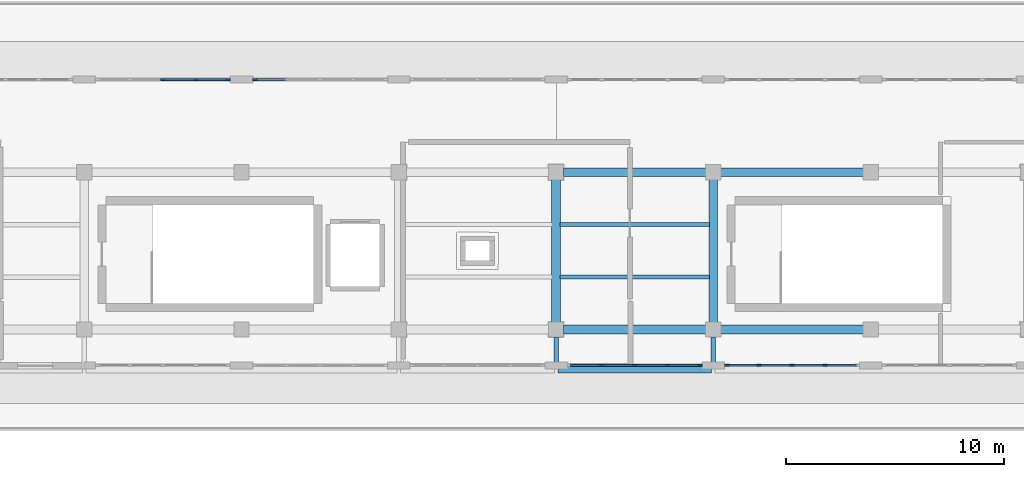
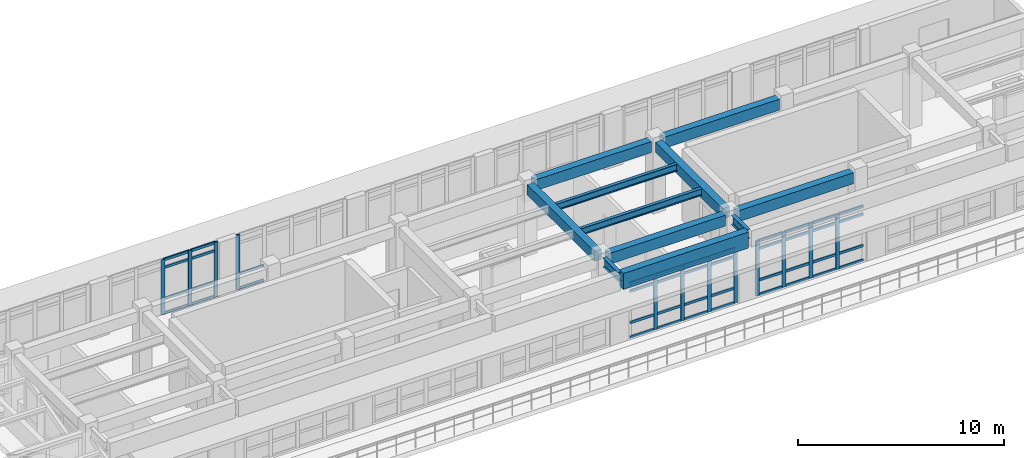
# One storey, part 12 of 55: 54 members, 11 beams, 4 elements without a shape of their own.
"""IFC4 building model written with IfcOpenShell, lengths in metres."""

from ifc_helpers import new_model, si_unit, direction, frame, origin, origin_2d, place, context, subcontext, project, spatial, rectangle, i_section, extrude, material, layer, layer_set, material_profile, profile_set, type_object, element, aggregate, save


model = new_model("IFC4")

# Units and contexts
model_context = context("Model", 3, precision=1e-05, world=origin(), true_north=direction((0.0, 1.0)))
body_context = subcontext(model_context, "Body", "Model", "MODEL_VIEW")
ifc_project = project(units=[si_unit("LENGTHUNIT", "METRE"), si_unit("AREAUNIT", "SQUARE_METRE"), si_unit("VOLUMEUNIT", "CUBIC_METRE"), si_unit("PLANEANGLEUNIT", "RADIAN"), si_unit("MASSUNIT", "GRAM", prefix="KILO")], contexts=[model_context])

# Site, building, storey
site_placement = place(None, origin())
site = spatial("IfcSite", under=ifc_project, at=site_placement, CompositionType="ELEMENT")
building_placement = place(site_placement, origin())
building = spatial("IfcBuilding", under=site, at=building_placement, Name="Solenvale Faculty of Natural Sciences", CompositionType="ELEMENT")
storey_placement = place(building_placement, frame((0.0, 0.0, 22.5)))
storey = spatial("IfcBuildingStorey", under=building, at=storey_placement, Name="L05", CompositionType="ELEMENT", Elevation=22.5)

# Beams
ifc_material_1 = material(Name="Concrete 40 MPa", Category="concrete")
ifc_material_profile_1 = material_profile(ifc_material_1, rectangle(XDim=0.39990234375, YDim=0.60009765625, at=origin_2d()), Name="RC-BM-400x600")
ifc_profile_set_1 = profile_set([ifc_material_profile_1], Name="Concrete 40 MPa")
beam_type_1 = type_object("IfcBeamType", Name="BM-RC-400x600", PredefinedType="BEAM", material=ifc_profile_set_1)
for number, where, z_axis, x_axis, name in (
    (1, (86.39990234375, 21.929931640625, 3.919921875), (0.0, 1.0, 0.0), (-1.0, 0.0, 0.0), "L05 Y-Girder X86.4 (21.6..28.8)"),
    (2, (93.60009765625, 21.929931640625, 3.919921875), (0.0, 1.0, 0.0), (-1.0, 0.0, 0.0), "L05 Y-Girder X93.6 (21.6..28.8)"),
):
    element("IfcBeam", number, at=place(storey_placement, frame(where, z_axis=z_axis, x_axis=x_axis)), inside=storey, type_object=beam_type_1, Name=name, PredefinedType="BEAM", context=body_context, shape_type="SweptSolid", body=[
        extrude(rectangle(XDim=0.39990234375, YDim=0.60009765625, at=origin_2d()), origin(), (0.0, 0.0, 1.0), 6.5400390625),
    ])
ifc_material_profile_2 = material_profile(ifc_material_1, rectangle(XDim=0.39990234375, YDim=0.64990234375, at=origin_2d()), Name="RC-BM-400x650")
ifc_profile_set_2 = profile_set([ifc_material_profile_2], Name="Concrete 40 MPa")
beam_type_2 = type_object("IfcBeamType", Name="BM-RC-400x650", PredefinedType="BEAM", material=ifc_profile_set_2)
for number, where, z_axis, x_axis, name in (
    (3, (86.72998046875, 21.60009765625, 3.89501953125), (1.0, 0.0, 0.0), (0.0, 1.0, 0.0), "L05 X-Girder Y21.6 (86.4..93.6)"),
    (4, (93.929931640625, 21.60009765625, 3.89501953125), (1.0, 0.0, 0.0), (0.0, 1.0, 0.0), "L05 X-Girder Y21.6 (93.6..100.8)"),
    (5, (86.72998046875, 28.800048828125, 3.89501953125), (1.0, 0.0, 0.0), (0.0, 1.0, 0.0), "L05 X-Girder Y28.8 (86.4..93.6)"),
    (6, (93.929931640625, 28.800048828125, 3.89501953125), (1.0, 0.0, 0.0), (0.0, 1.0, 0.0), "L05 X-Girder Y28.8 (93.6..100.8)"),
):
    element("IfcBeam", number, at=place(storey_placement, frame(where, z_axis=z_axis, x_axis=x_axis)), inside=storey, type_object=beam_type_2, Name=name, PredefinedType="BEAM", context=body_context, shape_type="SweptSolid", body=[
        extrude(rectangle(XDim=0.39990234375, YDim=0.64990234375, at=origin_2d()), origin(), (0.0, 0.0, 1.0), 6.5400390625),
    ])
ifc_material_2 = material(Name="Architectural bronze concrete 40 MPa", Category="concrete")
ifc_material_profile_3 = material_profile(ifc_material_2, rectangle(XDim=0.39990234375, YDim=0.949951171875, at=origin_2d()), Name="RC-SPN-400x950")
ifc_profile_set_3 = profile_set([ifc_material_profile_3], Name="Architectural bronze concrete 40 MPa")
beam_type_3 = type_object("IfcBeamType", Name="BM-SPN-BRZ-950", PredefinedType="SPANDREL", material=ifc_profile_set_3)
beam_placement = place(storey_placement, frame((86.47998046875, 19.800048828125, 3.7451171875), z_axis=(1.0, 0.0, 0.0), x_axis=(0.0, 1.0, 0.0)))
element("IfcBeam", 7, at=beam_placement, inside=storey, type_object=beam_type_3, Name="L06 Sliding-Tray South Bronze Fascia 4", PredefinedType="SPANDREL", context=body_context, shape_type="SweptSolid", body=[
    extrude(rectangle(XDim=0.39990234375, YDim=0.949951171875, at=origin_2d()), origin(), (0.0, 0.0, 1.0), 7.0400390625),
])
ifc_material_3 = material(Name="Steel S355", Category="steel")
ifc_material_profile_4 = material_profile(ifc_material_3, i_section(OverallWidth=0.178955078125, OverallDepth=0.409912109375, WebThickness=0.0087890625, FlangeThickness=0.014404296875, FilletRadius=0.01611328125, at=origin_2d()), Name="W410x67")
ifc_profile_set_4 = profile_set([ifc_material_profile_4], Name="Steel S355")
beam_type_4 = type_object("IfcBeamType", Name="BM-STL-W410x67", PredefinedType="JOIST", material=ifc_profile_set_4)
for number, where, z_axis, x_axis, name in (
    (8, (86.580078125, 24.0, 4.014892578125), (1.0, 0.0, 0.0), (0.0, 1.0, 0.0), "L05 Composite Floor Joist (13,4).1"),
    (9, (86.580078125, 26.39990234375, 4.014892578125), (1.0, 0.0, 0.0), (0.0, 1.0, 0.0), "L05 Composite Floor Joist (13,4).2"),
):
    element("IfcBeam", number, at=place(storey_placement, frame(where, z_axis=z_axis, x_axis=x_axis)), inside=storey, type_object=beam_type_4, Name=name, PredefinedType="JOIST", context=body_context, shape_type="SweptSolid", body=[
        extrude(i_section(OverallWidth=0.178955078125, OverallDepth=0.409912109375, WebThickness=0.0087890625, FlangeThickness=0.014404296875, FilletRadius=0.01611328125, at=origin_2d()), origin(), (0.0, 0.0, 1.0), 6.83984375),
    ])
ifc_material_profile_5 = material_profile(ifc_material_3, i_section(OverallWidth=0.2119140625, OverallDepth=0.5439453125, WebThickness=0.01318359375, FlangeThickness=0.021240234375, FilletRadius=0.01904296875, at=origin_2d()), Name="W530x123")
ifc_profile_set_5 = profile_set([ifc_material_profile_5], Name="Steel S355")
beam_type_5 = type_object("IfcBeamType", Name="BM-STL-W530x123", PredefinedType="BEAM", material=ifc_profile_set_5)
for number, where, z_axis, x_axis, name in (
    (10, (86.39990234375, 21.27001953125, 3.947998046875), (0.0, -1.0, 0.0), (1.0, 0.0, 0.0), "L05 V4 Cantilever Tray Girder X86.4"),
    (11, (93.60009765625, 21.27001953125, 3.947998046875), (0.0, -1.0, 0.0), (1.0, 0.0, 0.0), "L05 V4 Cantilever Tray Girder X93.6"),
):
    element("IfcBeam", number, at=place(storey_placement, frame(where, z_axis=z_axis, x_axis=x_axis)), inside=storey, type_object=beam_type_5, Name=name, PredefinedType="BEAM", context=body_context, shape_type="SweptSolid", body=[
        extrude(i_section(OverallWidth=0.2119140625, OverallDepth=0.5439453125, WebThickness=0.01318359375, FlangeThickness=0.021240234375, FilletRadius=0.01904296875, at=origin_2d()), origin(), (0.0, 0.0, 1.0), 1.469970703125),
    ])

# Curtain wall, member
ifc_material_4 = material(Name="Anodised bronze aluminium", Category="aluminium")
ifc_layer = layer(ifc_material_4, 0.18994140625)
ifc_layer_set = layer_set([ifc_layer], Name="Anodised bronze aluminium")
curtain_wall_type = type_object("IfcCurtainWallType", Name="CW-TRAY-REC", PredefinedType="USERDEFINED", material=ifc_layer_set)
curtain_wall_1_placement = place(storey_placement, origin())
curtain_wall_1 = element("IfcCurtainWall", 12, at=curtain_wall_1_placement, inside=storey, type_object=curtain_wall_type, Name="L05 Curtain Wall CW-L05-P1-E2-B6", ObjectType="UNITISED CURTAIN WALL", PredefinedType="USERDEFINED")
ifc_material_profile_6 = material_profile(ifc_material_4, rectangle(XDim=0.074951171875, YDim=0.2099609375, at=origin_2d()), Name="ALU-MUL-75x210")
ifc_profile_set_6 = profile_set([ifc_material_profile_6], Name="Anodised bronze aluminium")
member_type_1 = type_object("IfcMemberType", Name="CWM-ALU-75x210", PredefinedType="MULLION", material=ifc_profile_set_6)
member_1_placement = place(storey_placement, frame((72.617431640625, 33.03759765625, 0.0), z_axis=(0.0, 0.0, 1.0), x_axis=(0.0, -1.0, 0.0)))
member_1 = element("IfcMember", 13, at=member_1_placement, type_object=member_type_1, Name="CW-02 mullion 5", PredefinedType="MULLION", context=body_context, shape_type="SweptSolid", body=[
    extrude(rectangle(XDim=0.074951171875, YDim=0.2099609375, at=origin_2d()), origin(), (0.0, 0.0, 1.0), 3.260009765625),
])

# Curtain wall, members
curtain_wall_2_placement = place(storey_placement, origin())
curtain_wall_2 = element("IfcCurtainWall", 14, at=curtain_wall_2_placement, inside=storey, type_object=curtain_wall_type, Name="L05 Curtain Wall CW-L05-P1-E2-B7", ObjectType="UNITISED CURTAIN WALL", PredefinedType="USERDEFINED")
member_2_placement = place(storey_placement, frame((71.382568359375, 33.03759765625, 0.0), z_axis=(0.0, 0.0, 1.0), x_axis=(0.0, -1.0, 0.0)))
member_2 = element("IfcMember", 15, at=member_2_placement, type_object=member_type_1, Name="CW-02 mullion 1", PredefinedType="MULLION", context=body_context, shape_type="SweptSolid", body=[
    extrude(rectangle(XDim=0.074951171875, YDim=0.2099609375, at=origin_2d()), origin(), (0.0, 0.0, 1.0), 3.260009765625),
])
member_3_placement = place(storey_placement, frame((69.909912109375, 33.03759765625, 0.0), z_axis=(0.0, 0.0, 1.0), x_axis=(0.0, -1.0, 0.0)))
member_3 = element("IfcMember", 16, at=member_3_placement, type_object=member_type_1, Name="CW-02 mullion 2", PredefinedType="MULLION", context=body_context, shape_type="SweptSolid", body=[
    extrude(rectangle(XDim=0.074951171875, YDim=0.2099609375, at=origin_2d()), origin(), (0.0, 0.0, 1.0), 3.260009765625),
])
member_4_placement = place(storey_placement, frame((68.39990234375, 33.03759765625, 0.0), z_axis=(0.0, 0.0, 1.0), x_axis=(0.0, -1.0, 0.0)))
member_4 = element("IfcMember", 17, at=member_4_placement, type_object=member_type_1, Name="CW-02 mullion 3", PredefinedType="MULLION", context=body_context, shape_type="SweptSolid", body=[
    extrude(rectangle(XDim=0.074951171875, YDim=0.2099609375, at=origin_2d()), origin(), (0.0, 0.0, 1.0), 3.260009765625),
])

curtain_wall_3_placement = place(storey_placement, origin())
curtain_wall_3 = element("IfcCurtainWall", 18, at=curtain_wall_3_placement, inside=storey, type_object=curtain_wall_type, Name="L05 Curtain Wall CW-L05-P1-E4-B5", ObjectType="UNITISED CURTAIN WALL", PredefinedType="USERDEFINED")
member_5_placement = place(storey_placement, frame((88.489990234375, 19.96240234375, 0.0), z_axis=(0.0, 0.0, 1.0), x_axis=(0.0, 1.0, 0.0)))
member_5 = element("IfcMember", 19, at=member_5_placement, type_object=member_type_1, Name="CW-02 mullion 2", PredefinedType="MULLION", context=body_context, shape_type="SweptSolid", body=[
    extrude(rectangle(XDim=0.074951171875, YDim=0.2099609375, at=origin_2d()), origin(), (0.0, 0.0, 1.0), 3.260009765625),
])
member_6_placement = place(storey_placement, frame((90.0, 19.96240234375, 0.0), z_axis=(0.0, 0.0, 1.0), x_axis=(0.0, 1.0, 0.0)))
member_6 = element("IfcMember", 20, at=member_6_placement, type_object=member_type_1, Name="CW-02 mullion 3", PredefinedType="MULLION", context=body_context, shape_type="SweptSolid", body=[
    extrude(rectangle(XDim=0.074951171875, YDim=0.2099609375, at=origin_2d()), origin(), (0.0, 0.0, 1.0), 3.260009765625),
])
member_7_placement = place(storey_placement, frame((91.510009765625, 19.96240234375, 0.0), z_axis=(0.0, 0.0, 1.0), x_axis=(0.0, 1.0, 0.0)))
member_7 = element("IfcMember", 21, at=member_7_placement, type_object=member_type_1, Name="CW-02 mullion 4", PredefinedType="MULLION", context=body_context, shape_type="SweptSolid", body=[
    extrude(rectangle(XDim=0.074951171875, YDim=0.2099609375, at=origin_2d()), origin(), (0.0, 0.0, 1.0), 3.260009765625),
])
member_8_placement = place(storey_placement, frame((92.982421875, 19.96240234375, 0.0), z_axis=(0.0, 0.0, 1.0), x_axis=(0.0, 1.0, 0.0)))
member_8 = element("IfcMember", 22, at=member_8_placement, type_object=member_type_1, Name="CW-02 mullion 5", PredefinedType="MULLION", context=body_context, shape_type="SweptSolid", body=[
    extrude(rectangle(XDim=0.074951171875, YDim=0.2099609375, at=origin_2d()), origin(), (0.0, 0.0, 1.0), 3.260009765625),
])

curtain_wall_4_placement = place(storey_placement, origin())
curtain_wall_4 = element("IfcCurtainWall", 23, at=curtain_wall_4_placement, inside=storey, type_object=curtain_wall_type, Name="L05 Curtain Wall CW-L05-P1-E4-B6", ObjectType="UNITISED CURTAIN WALL", PredefinedType="USERDEFINED")
member_9_placement = place(storey_placement, frame((94.217529296875, 19.96240234375, 0.0), z_axis=(0.0, 0.0, 1.0), x_axis=(0.0, 1.0, 0.0)))
member_9 = element("IfcMember", 24, at=member_9_placement, type_object=member_type_1, Name="CW-02 mullion 1", PredefinedType="MULLION", context=body_context, shape_type="SweptSolid", body=[
    extrude(rectangle(XDim=0.074951171875, YDim=0.2099609375, at=origin_2d()), origin(), (0.0, 0.0, 1.0), 3.260009765625),
])
member_10_placement = place(storey_placement, frame((95.68994140625, 19.96240234375, 0.0), z_axis=(0.0, 0.0, 1.0), x_axis=(0.0, 1.0, 0.0)))
member_10 = element("IfcMember", 25, at=member_10_placement, type_object=member_type_1, Name="CW-02 mullion 2", PredefinedType="MULLION", context=body_context, shape_type="SweptSolid", body=[
    extrude(rectangle(XDim=0.074951171875, YDim=0.2099609375, at=origin_2d()), origin(), (0.0, 0.0, 1.0), 3.260009765625),
])
member_11_placement = place(storey_placement, frame((97.199951171875, 19.96240234375, 0.0), z_axis=(0.0, 0.0, 1.0), x_axis=(0.0, 1.0, 0.0)))
member_11 = element("IfcMember", 26, at=member_11_placement, type_object=member_type_1, Name="CW-02 mullion 3", PredefinedType="MULLION", context=body_context, shape_type="SweptSolid", body=[
    extrude(rectangle(XDim=0.074951171875, YDim=0.2099609375, at=origin_2d()), origin(), (0.0, 0.0, 1.0), 3.260009765625),
])
member_12_placement = place(storey_placement, frame((98.7099609375, 19.96240234375, 0.0), z_axis=(0.0, 0.0, 1.0), x_axis=(0.0, 1.0, 0.0)))
member_12 = element("IfcMember", 27, at=member_12_placement, type_object=member_type_1, Name="CW-02 mullion 4", PredefinedType="MULLION", context=body_context, shape_type="SweptSolid", body=[
    extrude(rectangle(XDim=0.074951171875, YDim=0.2099609375, at=origin_2d()), origin(), (0.0, 0.0, 1.0), 3.260009765625),
])

# Member
ifc_material_profile_7 = material_profile(ifc_material_4, rectangle(XDim=0.074951171875, YDim=0.155029296875, at=origin_2d()), Name="ALU-TRN-75x155")
ifc_profile_set_7 = profile_set([ifc_material_profile_7], Name="Anodised bronze aluminium")
member_type_2 = type_object("IfcMemberType", Name="CWT-ALU-75x155", PredefinedType="USERDEFINED", material=ifc_profile_set_7)
member_13_placement = place(storey_placement, frame((74.052490234375, 33.03759765625, 0.03759765625), z_axis=(-1.0, 0.0, 0.0), x_axis=(0.0, -1.0, 0.0)))
member_13 = element("IfcMember", 28, at=member_13_placement, type_object=member_type_2, Name="CW-02 transom 4.1", ObjectType="TRANSOM", PredefinedType="USERDEFINED", context=body_context, shape_type="SweptSolid", body=[
    extrude(rectangle(XDim=0.074951171875, YDim=0.155029296875, at=origin_2d()), origin(), (0.0, 0.0, 1.0), 1.3974609375),
])

member_14_placement = place(storey_placement, frame((74.052490234375, 33.03759765625, 0.89990234375), z_axis=(-1.0, 0.0, 0.0), x_axis=(0.0, -1.0, 0.0)))
member_14 = element("IfcMember", 29, at=member_14_placement, type_object=member_type_2, Name="CW-02 transom 4.2", ObjectType="TRANSOM", PredefinedType="USERDEFINED", context=body_context, shape_type="SweptSolid", body=[
    extrude(rectangle(XDim=0.074951171875, YDim=0.155029296875, at=origin_2d()), origin(), (0.0, 0.0, 1.0), 1.3974609375),
])

aggregate(curtain_wall_1, [member_1, member_13, member_14])

member_15_placement = place(storey_placement, frame((71.344970703125, 33.03759765625, 0.03759765625), z_axis=(-1.0, 0.0, 0.0), x_axis=(0.0, -1.0, 0.0)))
member_15 = element("IfcMember", 30, at=member_15_placement, type_object=member_type_2, Name="CW-02 transom 1.1", ObjectType="TRANSOM", PredefinedType="USERDEFINED", context=body_context, shape_type="SweptSolid", body=[
    extrude(rectangle(XDim=0.074951171875, YDim=0.155029296875, at=origin_2d()), origin(), (0.0, 0.0, 1.0), 1.3974609375),
])

member_16_placement = place(storey_placement, frame((71.344970703125, 33.03759765625, 0.89990234375), z_axis=(-1.0, 0.0, 0.0), x_axis=(0.0, -1.0, 0.0)))
member_16 = element("IfcMember", 31, at=member_16_placement, type_object=member_type_2, Name="CW-02 transom 1.2", ObjectType="TRANSOM", PredefinedType="USERDEFINED", context=body_context, shape_type="SweptSolid", body=[
    extrude(rectangle(XDim=0.074951171875, YDim=0.155029296875, at=origin_2d()), origin(), (0.0, 0.0, 1.0), 1.3974609375),
])

member_17_placement = place(storey_placement, frame((71.344970703125, 33.03759765625, 2.760009765625), z_axis=(-1.0, 0.0, 0.0), x_axis=(0.0, -1.0, 0.0)))
member_17 = element("IfcMember", 32, at=member_17_placement, type_object=member_type_2, Name="CW-02 transom 1.3", ObjectType="TRANSOM", PredefinedType="USERDEFINED", context=body_context, shape_type="SweptSolid", body=[
    extrude(rectangle(XDim=0.074951171875, YDim=0.155029296875, at=origin_2d()), origin(), (0.0, 0.0, 1.0), 1.3974609375),
])

member_18_placement = place(storey_placement, frame((71.344970703125, 33.03759765625, 3.222412109375), z_axis=(-1.0, 0.0, 0.0), x_axis=(0.0, -1.0, 0.0)))
member_18 = element("IfcMember", 33, at=member_18_placement, type_object=member_type_2, Name="CW-02 transom 1.4", ObjectType="TRANSOM", PredefinedType="USERDEFINED", context=body_context, shape_type="SweptSolid", body=[
    extrude(rectangle(XDim=0.074951171875, YDim=0.155029296875, at=origin_2d()), origin(), (0.0, 0.0, 1.0), 1.3974609375),
])

member_19_placement = place(storey_placement, frame((69.87255859375, 33.03759765625, 0.03759765625), z_axis=(-1.0, 0.0, 0.0), x_axis=(0.0, -1.0, 0.0)))
member_19 = element("IfcMember", 34, at=member_19_placement, type_object=member_type_2, Name="CW-02 transom 2.1", ObjectType="TRANSOM", PredefinedType="USERDEFINED", context=body_context, shape_type="SweptSolid", body=[
    extrude(rectangle(XDim=0.074951171875, YDim=0.155029296875, at=origin_2d()), origin(), (0.0, 0.0, 1.0), 1.43505859375),
])

member_20_placement = place(storey_placement, frame((69.87255859375, 33.03759765625, 0.89990234375), z_axis=(-1.0, 0.0, 0.0), x_axis=(0.0, -1.0, 0.0)))
member_20 = element("IfcMember", 35, at=member_20_placement, type_object=member_type_2, Name="CW-02 transom 2.2", ObjectType="TRANSOM", PredefinedType="USERDEFINED", context=body_context, shape_type="SweptSolid", body=[
    extrude(rectangle(XDim=0.074951171875, YDim=0.155029296875, at=origin_2d()), origin(), (0.0, 0.0, 1.0), 1.43505859375),
])

member_21_placement = place(storey_placement, frame((69.87255859375, 33.03759765625, 2.760009765625), z_axis=(-1.0, 0.0, 0.0), x_axis=(0.0, -1.0, 0.0)))
member_21 = element("IfcMember", 36, at=member_21_placement, type_object=member_type_2, Name="CW-02 transom 2.3", ObjectType="TRANSOM", PredefinedType="USERDEFINED", context=body_context, shape_type="SweptSolid", body=[
    extrude(rectangle(XDim=0.074951171875, YDim=0.155029296875, at=origin_2d()), origin(), (0.0, 0.0, 1.0), 1.43505859375),
])

member_22_placement = place(storey_placement, frame((69.87255859375, 33.03759765625, 3.222412109375), z_axis=(-1.0, 0.0, 0.0), x_axis=(0.0, -1.0, 0.0)))
member_22 = element("IfcMember", 37, at=member_22_placement, type_object=member_type_2, Name="CW-02 transom 2.4", ObjectType="TRANSOM", PredefinedType="USERDEFINED", context=body_context, shape_type="SweptSolid", body=[
    extrude(rectangle(XDim=0.074951171875, YDim=0.155029296875, at=origin_2d()), origin(), (0.0, 0.0, 1.0), 1.43505859375),
])

aggregate(curtain_wall_2, [member_2, member_3, member_4, member_15, member_16, member_17, member_18, member_19, member_20, member_21, member_22])

member_23_placement = place(storey_placement, frame((87.054931640625, 19.96240234375, 0.03759765625), z_axis=(1.0, 0.0, 0.0), x_axis=(0.0, 1.0, 0.0)))
member_23 = element("IfcMember", 38, at=member_23_placement, type_object=member_type_2, Name="CW-02 transom 1.1", ObjectType="TRANSOM", PredefinedType="USERDEFINED", context=body_context, shape_type="SweptSolid", body=[
    extrude(rectangle(XDim=0.074951171875, YDim=0.155029296875, at=origin_2d()), origin(), (0.0, 0.0, 1.0), 1.3974609375),
])

member_24_placement = place(storey_placement, frame((87.054931640625, 19.96240234375, 0.89990234375), z_axis=(1.0, 0.0, 0.0), x_axis=(0.0, 1.0, 0.0)))
member_24 = element("IfcMember", 39, at=member_24_placement, type_object=member_type_2, Name="CW-02 transom 1.2", ObjectType="TRANSOM", PredefinedType="USERDEFINED", context=body_context, shape_type="SweptSolid", body=[
    extrude(rectangle(XDim=0.074951171875, YDim=0.155029296875, at=origin_2d()), origin(), (0.0, 0.0, 1.0), 1.3974609375),
])

member_25_placement = place(storey_placement, frame((87.054931640625, 19.96240234375, 2.760009765625), z_axis=(1.0, 0.0, 0.0), x_axis=(0.0, 1.0, 0.0)))
member_25 = element("IfcMember", 40, at=member_25_placement, type_object=member_type_2, Name="CW-02 transom 1.3", ObjectType="TRANSOM", PredefinedType="USERDEFINED", context=body_context, shape_type="SweptSolid", body=[
    extrude(rectangle(XDim=0.074951171875, YDim=0.155029296875, at=origin_2d()), origin(), (0.0, 0.0, 1.0), 1.3974609375),
])

member_26_placement = place(storey_placement, frame((87.054931640625, 19.96240234375, 3.222412109375), z_axis=(1.0, 0.0, 0.0), x_axis=(0.0, 1.0, 0.0)))
member_26 = element("IfcMember", 41, at=member_26_placement, type_object=member_type_2, Name="CW-02 transom 1.4", ObjectType="TRANSOM", PredefinedType="USERDEFINED", context=body_context, shape_type="SweptSolid", body=[
    extrude(rectangle(XDim=0.074951171875, YDim=0.155029296875, at=origin_2d()), origin(), (0.0, 0.0, 1.0), 1.3974609375),
])

member_27_placement = place(storey_placement, frame((88.527587890625, 19.96240234375, 0.03759765625), z_axis=(1.0, 0.0, 0.0), x_axis=(0.0, 1.0, 0.0)))
member_27 = element("IfcMember", 42, at=member_27_placement, type_object=member_type_2, Name="CW-02 transom 2.1", ObjectType="TRANSOM", PredefinedType="USERDEFINED", context=body_context, shape_type="SweptSolid", body=[
    extrude(rectangle(XDim=0.074951171875, YDim=0.155029296875, at=origin_2d()), origin(), (0.0, 0.0, 1.0), 1.434814453125),
])

member_28_placement = place(storey_placement, frame((88.527587890625, 19.96240234375, 0.89990234375), z_axis=(1.0, 0.0, 0.0), x_axis=(0.0, 1.0, 0.0)))
member_28 = element("IfcMember", 43, at=member_28_placement, type_object=member_type_2, Name="CW-02 transom 2.2", ObjectType="TRANSOM", PredefinedType="USERDEFINED", context=body_context, shape_type="SweptSolid", body=[
    extrude(rectangle(XDim=0.074951171875, YDim=0.155029296875, at=origin_2d()), origin(), (0.0, 0.0, 1.0), 1.434814453125),
])

member_29_placement = place(storey_placement, frame((88.527587890625, 19.96240234375, 2.760009765625), z_axis=(1.0, 0.0, 0.0), x_axis=(0.0, 1.0, 0.0)))
member_29 = element("IfcMember", 44, at=member_29_placement, type_object=member_type_2, Name="CW-02 transom 2.3", ObjectType="TRANSOM", PredefinedType="USERDEFINED", context=body_context, shape_type="SweptSolid", body=[
    extrude(rectangle(XDim=0.074951171875, YDim=0.155029296875, at=origin_2d()), origin(), (0.0, 0.0, 1.0), 1.434814453125),
])

member_30_placement = place(storey_placement, frame((88.527587890625, 19.96240234375, 3.222412109375), z_axis=(1.0, 0.0, 0.0), x_axis=(0.0, 1.0, 0.0)))
member_30 = element("IfcMember", 45, at=member_30_placement, type_object=member_type_2, Name="CW-02 transom 2.4", ObjectType="TRANSOM", PredefinedType="USERDEFINED", context=body_context, shape_type="SweptSolid", body=[
    extrude(rectangle(XDim=0.074951171875, YDim=0.155029296875, at=origin_2d()), origin(), (0.0, 0.0, 1.0), 1.434814453125),
])

member_31_placement = place(storey_placement, frame((90.03759765625, 19.96240234375, 0.03759765625), z_axis=(1.0, 0.0, 0.0), x_axis=(0.0, 1.0, 0.0)))
member_31 = element("IfcMember", 46, at=member_31_placement, type_object=member_type_2, Name="CW-02 transom 3.1", ObjectType="TRANSOM", PredefinedType="USERDEFINED", context=body_context, shape_type="SweptSolid", body=[
    extrude(rectangle(XDim=0.074951171875, YDim=0.155029296875, at=origin_2d()), origin(), (0.0, 0.0, 1.0), 1.434814453125),
])

member_32_placement = place(storey_placement, frame((90.03759765625, 19.96240234375, 0.89990234375), z_axis=(1.0, 0.0, 0.0), x_axis=(0.0, 1.0, 0.0)))
member_32 = element("IfcMember", 47, at=member_32_placement, type_object=member_type_2, Name="CW-02 transom 3.2", ObjectType="TRANSOM", PredefinedType="USERDEFINED", context=body_context, shape_type="SweptSolid", body=[
    extrude(rectangle(XDim=0.074951171875, YDim=0.155029296875, at=origin_2d()), origin(), (0.0, 0.0, 1.0), 1.434814453125),
])

member_33_placement = place(storey_placement, frame((90.03759765625, 19.96240234375, 2.760009765625), z_axis=(1.0, 0.0, 0.0), x_axis=(0.0, 1.0, 0.0)))
member_33 = element("IfcMember", 48, at=member_33_placement, type_object=member_type_2, Name="CW-02 transom 3.3", ObjectType="TRANSOM", PredefinedType="USERDEFINED", context=body_context, shape_type="SweptSolid", body=[
    extrude(rectangle(XDim=0.074951171875, YDim=0.155029296875, at=origin_2d()), origin(), (0.0, 0.0, 1.0), 1.434814453125),
])

member_34_placement = place(storey_placement, frame((90.03759765625, 19.96240234375, 3.222412109375), z_axis=(1.0, 0.0, 0.0), x_axis=(0.0, 1.0, 0.0)))
member_34 = element("IfcMember", 49, at=member_34_placement, type_object=member_type_2, Name="CW-02 transom 3.4", ObjectType="TRANSOM", PredefinedType="USERDEFINED", context=body_context, shape_type="SweptSolid", body=[
    extrude(rectangle(XDim=0.074951171875, YDim=0.155029296875, at=origin_2d()), origin(), (0.0, 0.0, 1.0), 1.434814453125),
])

member_35_placement = place(storey_placement, frame((91.547607421875, 19.96240234375, 0.03759765625), z_axis=(1.0, 0.0, 0.0), x_axis=(0.0, 1.0, 0.0)))
member_35 = element("IfcMember", 50, at=member_35_placement, type_object=member_type_2, Name="CW-02 transom 4.1", ObjectType="TRANSOM", PredefinedType="USERDEFINED", context=body_context, shape_type="SweptSolid", body=[
    extrude(rectangle(XDim=0.074951171875, YDim=0.155029296875, at=origin_2d()), origin(), (0.0, 0.0, 1.0), 1.3974609375),
])

member_36_placement = place(storey_placement, frame((91.547607421875, 19.96240234375, 0.89990234375), z_axis=(1.0, 0.0, 0.0), x_axis=(0.0, 1.0, 0.0)))
member_36 = element("IfcMember", 51, at=member_36_placement, type_object=member_type_2, Name="CW-02 transom 4.2", ObjectType="TRANSOM", PredefinedType="USERDEFINED", context=body_context, shape_type="SweptSolid", body=[
    extrude(rectangle(XDim=0.074951171875, YDim=0.155029296875, at=origin_2d()), origin(), (0.0, 0.0, 1.0), 1.3974609375),
])

member_37_placement = place(storey_placement, frame((91.547607421875, 19.96240234375, 2.760009765625), z_axis=(1.0, 0.0, 0.0), x_axis=(0.0, 1.0, 0.0)))
member_37 = element("IfcMember", 52, at=member_37_placement, type_object=member_type_2, Name="CW-02 transom 4.3", ObjectType="TRANSOM", PredefinedType="USERDEFINED", context=body_context, shape_type="SweptSolid", body=[
    extrude(rectangle(XDim=0.074951171875, YDim=0.155029296875, at=origin_2d()), origin(), (0.0, 0.0, 1.0), 1.3974609375),
])

member_38_placement = place(storey_placement, frame((91.547607421875, 19.96240234375, 3.222412109375), z_axis=(1.0, 0.0, 0.0), x_axis=(0.0, 1.0, 0.0)))
member_38 = element("IfcMember", 53, at=member_38_placement, type_object=member_type_2, Name="CW-02 transom 4.4", ObjectType="TRANSOM", PredefinedType="USERDEFINED", context=body_context, shape_type="SweptSolid", body=[
    extrude(rectangle(XDim=0.074951171875, YDim=0.155029296875, at=origin_2d()), origin(), (0.0, 0.0, 1.0), 1.3974609375),
])

aggregate(curtain_wall_3, [member_5, member_6, member_7, member_8, member_23, member_24, member_25, member_26, member_27, member_28, member_29, member_30, member_31, member_32, member_33, member_34, member_35, member_36, member_37, member_38])

member_39_placement = place(storey_placement, frame((94.2548828125, 19.96240234375, 0.03759765625), z_axis=(1.0, 0.0, 0.0), x_axis=(0.0, 1.0, 0.0)))
member_39 = element("IfcMember", 54, at=member_39_placement, type_object=member_type_2, Name="CW-02 transom 1.1", ObjectType="TRANSOM", PredefinedType="USERDEFINED", context=body_context, shape_type="SweptSolid", body=[
    extrude(rectangle(XDim=0.074951171875, YDim=0.155029296875, at=origin_2d()), origin(), (0.0, 0.0, 1.0), 1.397705078125),
])

member_40_placement = place(storey_placement, frame((94.2548828125, 19.96240234375, 0.89990234375), z_axis=(1.0, 0.0, 0.0), x_axis=(0.0, 1.0, 0.0)))
member_40 = element("IfcMember", 55, at=member_40_placement, type_object=member_type_2, Name="CW-02 transom 1.2", ObjectType="TRANSOM", PredefinedType="USERDEFINED", context=body_context, shape_type="SweptSolid", body=[
    extrude(rectangle(XDim=0.074951171875, YDim=0.155029296875, at=origin_2d()), origin(), (0.0, 0.0, 1.0), 1.397705078125),
])

member_41_placement = place(storey_placement, frame((94.2548828125, 19.96240234375, 2.760009765625), z_axis=(1.0, 0.0, 0.0), x_axis=(0.0, 1.0, 0.0)))
member_41 = element("IfcMember", 56, at=member_41_placement, type_object=member_type_2, Name="CW-02 transom 1.3", ObjectType="TRANSOM", PredefinedType="USERDEFINED", context=body_context, shape_type="SweptSolid", body=[
    extrude(rectangle(XDim=0.074951171875, YDim=0.155029296875, at=origin_2d()), origin(), (0.0, 0.0, 1.0), 1.397705078125),
])

member_42_placement = place(storey_placement, frame((94.2548828125, 19.96240234375, 3.222412109375), z_axis=(1.0, 0.0, 0.0), x_axis=(0.0, 1.0, 0.0)))
member_42 = element("IfcMember", 57, at=member_42_placement, type_object=member_type_2, Name="CW-02 transom 1.4", ObjectType="TRANSOM", PredefinedType="USERDEFINED", context=body_context, shape_type="SweptSolid", body=[
    extrude(rectangle(XDim=0.074951171875, YDim=0.155029296875, at=origin_2d()), origin(), (0.0, 0.0, 1.0), 1.397705078125),
])

member_43_placement = place(storey_placement, frame((95.7275390625, 19.96240234375, 0.03759765625), z_axis=(1.0, 0.0, 0.0), x_axis=(0.0, 1.0, 0.0)))
member_43 = element("IfcMember", 58, at=member_43_placement, type_object=member_type_2, Name="CW-02 transom 2.1", ObjectType="TRANSOM", PredefinedType="USERDEFINED", context=body_context, shape_type="SweptSolid", body=[
    extrude(rectangle(XDim=0.074951171875, YDim=0.155029296875, at=origin_2d()), origin(), (0.0, 0.0, 1.0), 1.43505859375),
])

member_44_placement = place(storey_placement, frame((95.7275390625, 19.96240234375, 0.89990234375), z_axis=(1.0, 0.0, 0.0), x_axis=(0.0, 1.0, 0.0)))
member_44 = element("IfcMember", 59, at=member_44_placement, type_object=member_type_2, Name="CW-02 transom 2.2", ObjectType="TRANSOM", PredefinedType="USERDEFINED", context=body_context, shape_type="SweptSolid", body=[
    extrude(rectangle(XDim=0.074951171875, YDim=0.155029296875, at=origin_2d()), origin(), (0.0, 0.0, 1.0), 1.43505859375),
])

member_45_placement = place(storey_placement, frame((95.7275390625, 19.96240234375, 2.760009765625), z_axis=(1.0, 0.0, 0.0), x_axis=(0.0, 1.0, 0.0)))
member_45 = element("IfcMember", 60, at=member_45_placement, type_object=member_type_2, Name="CW-02 transom 2.3", ObjectType="TRANSOM", PredefinedType="USERDEFINED", context=body_context, shape_type="SweptSolid", body=[
    extrude(rectangle(XDim=0.074951171875, YDim=0.155029296875, at=origin_2d()), origin(), (0.0, 0.0, 1.0), 1.43505859375),
])

member_46_placement = place(storey_placement, frame((95.7275390625, 19.96240234375, 3.222412109375), z_axis=(1.0, 0.0, 0.0), x_axis=(0.0, 1.0, 0.0)))
member_46 = element("IfcMember", 61, at=member_46_placement, type_object=member_type_2, Name="CW-02 transom 2.4", ObjectType="TRANSOM", PredefinedType="USERDEFINED", context=body_context, shape_type="SweptSolid", body=[
    extrude(rectangle(XDim=0.074951171875, YDim=0.155029296875, at=origin_2d()), origin(), (0.0, 0.0, 1.0), 1.43505859375),
])

member_47_placement = place(storey_placement, frame((97.237548828125, 19.96240234375, 0.03759765625), z_axis=(1.0, 0.0, 0.0), x_axis=(0.0, 1.0, 0.0)))
member_47 = element("IfcMember", 62, at=member_47_placement, type_object=member_type_2, Name="CW-02 transom 3.1", ObjectType="TRANSOM", PredefinedType="USERDEFINED", context=body_context, shape_type="SweptSolid", body=[
    extrude(rectangle(XDim=0.074951171875, YDim=0.155029296875, at=origin_2d()), origin(), (0.0, 0.0, 1.0), 1.43505859375),
])

member_48_placement = place(storey_placement, frame((97.237548828125, 19.96240234375, 0.89990234375), z_axis=(1.0, 0.0, 0.0), x_axis=(0.0, 1.0, 0.0)))
member_48 = element("IfcMember", 63, at=member_48_placement, type_object=member_type_2, Name="CW-02 transom 3.2", ObjectType="TRANSOM", PredefinedType="USERDEFINED", context=body_context, shape_type="SweptSolid", body=[
    extrude(rectangle(XDim=0.074951171875, YDim=0.155029296875, at=origin_2d()), origin(), (0.0, 0.0, 1.0), 1.43505859375),
])

member_49_placement = place(storey_placement, frame((97.237548828125, 19.96240234375, 2.760009765625), z_axis=(1.0, 0.0, 0.0), x_axis=(0.0, 1.0, 0.0)))
member_49 = element("IfcMember", 64, at=member_49_placement, type_object=member_type_2, Name="CW-02 transom 3.3", ObjectType="TRANSOM", PredefinedType="USERDEFINED", context=body_context, shape_type="SweptSolid", body=[
    extrude(rectangle(XDim=0.074951171875, YDim=0.155029296875, at=origin_2d()), origin(), (0.0, 0.0, 1.0), 1.43505859375),
])

member_50_placement = place(storey_placement, frame((97.237548828125, 19.96240234375, 3.222412109375), z_axis=(1.0, 0.0, 0.0), x_axis=(0.0, 1.0, 0.0)))
member_50 = element("IfcMember", 65, at=member_50_placement, type_object=member_type_2, Name="CW-02 transom 3.4", ObjectType="TRANSOM", PredefinedType="USERDEFINED", context=body_context, shape_type="SweptSolid", body=[
    extrude(rectangle(XDim=0.074951171875, YDim=0.155029296875, at=origin_2d()), origin(), (0.0, 0.0, 1.0), 1.43505859375),
])

member_51_placement = place(storey_placement, frame((98.74755859375, 19.96240234375, 0.03759765625), z_axis=(1.0, 0.0, 0.0), x_axis=(0.0, 1.0, 0.0)))
member_51 = element("IfcMember", 66, at=member_51_placement, type_object=member_type_2, Name="CW-02 transom 4.1", ObjectType="TRANSOM", PredefinedType="USERDEFINED", context=body_context, shape_type="SweptSolid", body=[
    extrude(rectangle(XDim=0.074951171875, YDim=0.155029296875, at=origin_2d()), origin(), (0.0, 0.0, 1.0), 1.3974609375),
])

member_52_placement = place(storey_placement, frame((98.74755859375, 19.96240234375, 0.89990234375), z_axis=(1.0, 0.0, 0.0), x_axis=(0.0, 1.0, 0.0)))
member_52 = element("IfcMember", 67, at=member_52_placement, type_object=member_type_2, Name="CW-02 transom 4.2", ObjectType="TRANSOM", PredefinedType="USERDEFINED", context=body_context, shape_type="SweptSolid", body=[
    extrude(rectangle(XDim=0.074951171875, YDim=0.155029296875, at=origin_2d()), origin(), (0.0, 0.0, 1.0), 1.3974609375),
])

member_53_placement = place(storey_placement, frame((98.74755859375, 19.96240234375, 2.760009765625), z_axis=(1.0, 0.0, 0.0), x_axis=(0.0, 1.0, 0.0)))
member_53 = element("IfcMember", 68, at=member_53_placement, type_object=member_type_2, Name="CW-02 transom 4.3", ObjectType="TRANSOM", PredefinedType="USERDEFINED", context=body_context, shape_type="SweptSolid", body=[
    extrude(rectangle(XDim=0.074951171875, YDim=0.155029296875, at=origin_2d()), origin(), (0.0, 0.0, 1.0), 1.3974609375),
])

member_54_placement = place(storey_placement, frame((98.74755859375, 19.96240234375, 3.222412109375), z_axis=(1.0, 0.0, 0.0), x_axis=(0.0, 1.0, 0.0)))
member_54 = element("IfcMember", 69, at=member_54_placement, type_object=member_type_2, Name="CW-02 transom 4.4", ObjectType="TRANSOM", PredefinedType="USERDEFINED", context=body_context, shape_type="SweptSolid", body=[
    extrude(rectangle(XDim=0.074951171875, YDim=0.155029296875, at=origin_2d()), origin(), (0.0, 0.0, 1.0), 1.3974609375),
])

aggregate(curtain_wall_4, [member_9, member_10, member_11, member_12, member_39, member_40, member_41, member_42, member_43, member_44, member_45, member_46, member_47, member_48, member_49, member_50, member_51, member_52, member_53, member_54])

save(model, "model.ifc")
